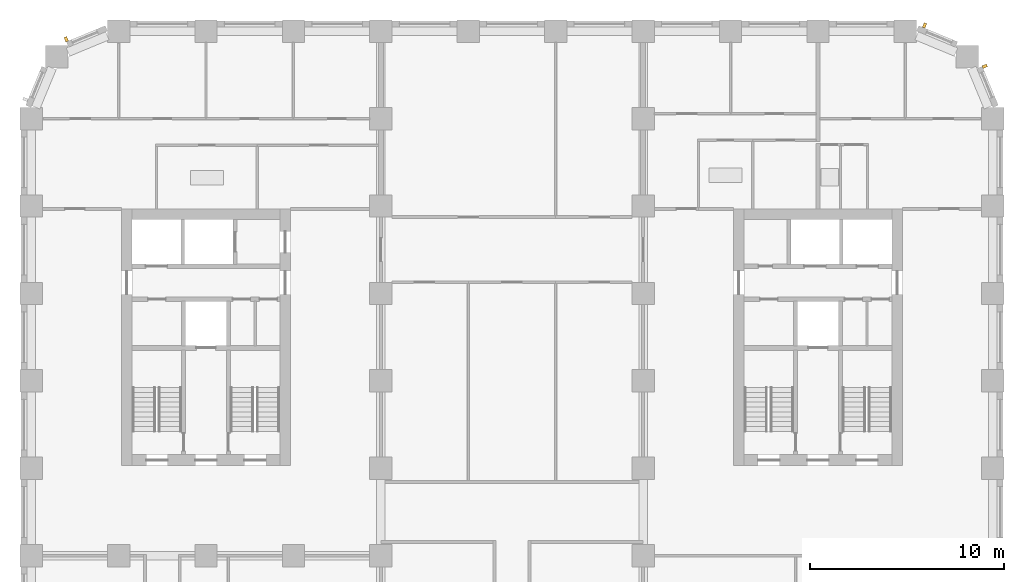
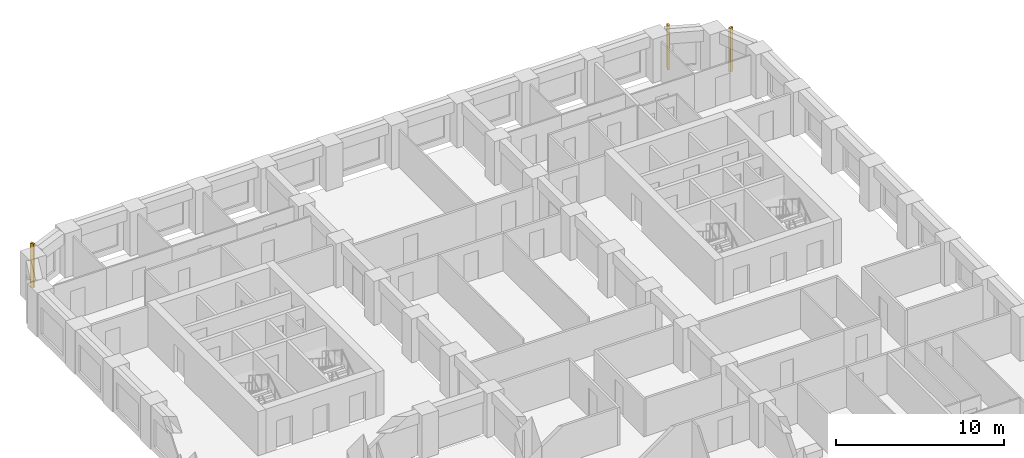
# One storey, part 12 of 13: 3 shading devices.
"""IFC4 building model written with IfcOpenShell, lengths in metres."""

from ifc_helpers import new_model, si_unit, direction, frame, origin, origin_2d, place, context, subcontext, project, spatial, rectangle, extrude, material, type_object, element, save


model = new_model("IFC4")

# Units and contexts
model_context = context("Model", 3, precision=1e-05, world=origin(), true_north=direction((0.0, 1.0)))
body_context = subcontext(model_context, "Body", "Model", "MODEL_VIEW")
ifc_project = project(units=[si_unit("LENGTHUNIT", "METRE"), si_unit("AREAUNIT", "SQUARE_METRE"), si_unit("VOLUMEUNIT", "CUBIC_METRE"), si_unit("PLANEANGLEUNIT", "RADIAN"), si_unit("MASSUNIT", "GRAM", prefix="KILO")], contexts=[model_context])

# Site, building, storey
site_placement = place(None, origin())
site = spatial("IfcSite", under=ifc_project, at=site_placement, CompositionType="ELEMENT")
building_placement = place(site_placement, origin())
building = spatial("IfcBuilding", under=site, at=building_placement, Name="Girih Gate Residences", CompositionType="ELEMENT")
storey_placement = place(building_placement, frame((0.0, 0.0, 105.60009765625)))
storey = spatial("IfcBuildingStorey", under=building, at=storey_placement, Name="L29", CompositionType="ELEMENT", Elevation=105.60009765625)

# Shading devices
ifc_material = material(Name="Precast concrete C50/60", Category="concrete")
shading_device_type = type_object("IfcShadingDeviceType", Name="Corner rib 150x250", PredefinedType="USERDEFINED", material=ifc_material)
for number, where, z_axis, x_axis, name in (
    (1, (49.087646484375, 47.6943359375, 0.0), (0.0, 0.0, 1.0), (-0.382683432365, 0.923879532511, 0.0), "Corner rib NE0495_0450.0"),
    (2, (45.985107421875, 49.79541015625, 0.0), (0.0, 0.0, 1.0), (-0.923879532511, 0.382683432365, 0.0), "Corner rib NE0482_0482.0"),
    (3, (1.8056640625, 49.087646484375, 0.0), (0.0, 0.0, 1.0), (-0.923879532511, -0.382683432365, 0.0), "Corner rib NW0045_0495.0"),
):
    element("IfcShadingDevice", number, at=place(storey_placement, frame(where, z_axis=z_axis, x_axis=x_axis)), inside=storey, type_object=shading_device_type, Name=name, ObjectType="FIN", PredefinedType="USERDEFINED", context=body_context, shape_type="SweptSolid", body=[
        extrude(rectangle(XDim=0.14990234375, YDim=0.25, at=origin_2d()), origin(), (0.0, 0.0, 1.0), 3.199951171875),
    ])

save(model, "model.ifc")
